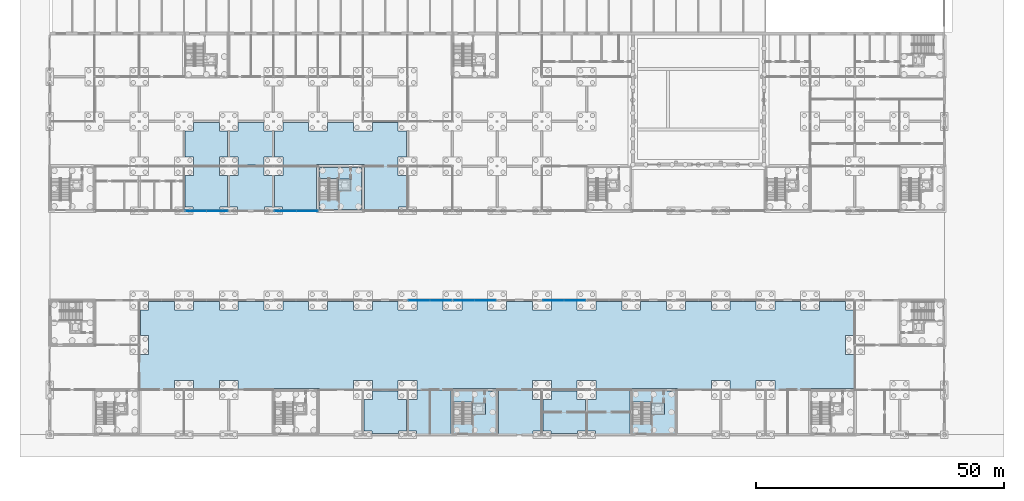
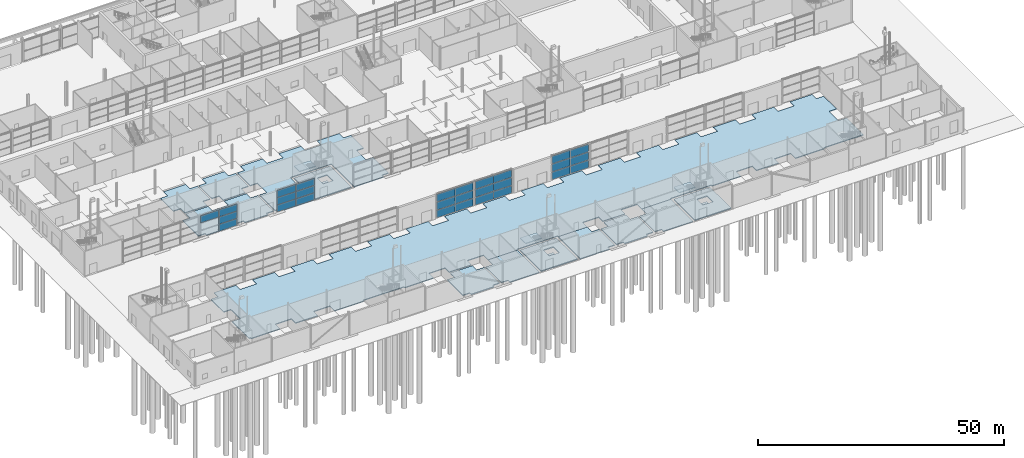
# One storey, part 54 of 97: 28 plates, 20 slabs, 8 elements without a shape of their own.
"""IFC4 building model written with IfcOpenShell, lengths in metres."""

from ifc_helpers import new_model, si_unit, direction, frame, origin, origin_2d, place, context, subcontext, project, spatial, polyline, rectangle, outline, extrude, material, layer, layer_set, type_object, element, aggregate, save


model = new_model("IFC4")

# Units and contexts
model_context = context("Model", 3, precision=1e-05, world=origin(), true_north=direction((0.0, 1.0)))
body_context = subcontext(model_context, "Body", "Model", "MODEL_VIEW")
ifc_project = project(units=[si_unit("LENGTHUNIT", "METRE"), si_unit("AREAUNIT", "SQUARE_METRE"), si_unit("VOLUMEUNIT", "CUBIC_METRE"), si_unit("PLANEANGLEUNIT", "RADIAN"), si_unit("MASSUNIT", "GRAM", prefix="KILO")], contexts=[model_context])

# Site, building, storey
site_placement = place(None, origin())
site = spatial("IfcSite", under=ifc_project, at=site_placement, CompositionType="ELEMENT")
building_placement = place(site_placement, origin())
building = spatial("IfcBuilding", under=site, at=building_placement, Name="Corbel Yard City Hall", CompositionType="ELEMENT")
storey_placement = place(building_placement, origin())
storey = spatial("IfcBuildingStorey", under=building, at=storey_placement, Name="L00", CompositionType="ELEMENT", Elevation=0.0)

# Slabs
ifc_material_1 = material(Name="Concrete N40 (40 MPa)", Category="concrete")
ifc_layer_1 = layer(ifc_material_1, 0.25)
ifc_layer_set_1 = layer_set([ifc_layer_1], Name="Concrete N40 (40 MPa)")
slab_type_1 = type_object("IfcSlabType", Name="CF1", PredefinedType="FLOOR", material=ifc_layer_set_1)
slab_1_placement = place(storey_placement, frame((0.0, 0.0, -0.25)))
element("IfcSlab", 1, at=slab_1_placement, inside=storey, type_object=slab_type_1, Name="Core floor slab", PredefinedType="FLOOR", context=body_context, shape_type="SweptSolid", body=[
    extrude(outline(polyline([(81.25, 0.25), (89.75, 0.25), (89.75, 8.75), (81.25, 8.75), (81.25, 0.25)]), holes=[polyline([(87.64990234375, 6.39990234375), (85.300048828125, 6.39990234375), (85.300048828125, 4.0), (87.64990234375, 4.0), (87.64990234375, 6.39990234375)])]), origin(), (0.0, 0.0, 1.0), 0.25),
])
slab_2_placement = place(storey_placement, frame((0.0, 0.0, -0.25)))
element("IfcSlab", 2, at=slab_2_placement, inside=storey, type_object=slab_type_1, Name="Core floor slab", PredefinedType="FLOOR", context=body_context, shape_type="SweptSolid", body=[
    extrude(outline(polyline([(117.25, 0.25), (125.75, 0.25), (125.75, 8.75), (117.25, 8.75), (117.25, 0.25)]), holes=[polyline([(123.64990234375, 6.39990234375), (121.300048828125, 6.39990234375), (121.300048828125, 4.0), (123.64990234375, 4.0), (123.64990234375, 6.39990234375)])]), origin(), (0.0, 0.0, 1.0), 0.25),
])
slab_3_placement = place(storey_placement, frame((0.0, 0.0, -0.25)))
element("IfcSlab", 3, at=slab_3_placement, inside=storey, type_object=slab_type_1, Name="Core floor slab", PredefinedType="FLOOR", context=body_context, shape_type="SweptSolid", body=[
    extrude(outline(polyline([(54.25, 45.25), (62.75, 45.25), (62.75, 53.75), (54.25, 53.75), (54.25, 45.25)]), holes=[polyline([(60.64990234375, 51.39990234375), (58.300048828125, 51.39990234375), (58.300048828125, 49.0), (60.64990234375, 49.0), (60.64990234375, 51.39990234375)])]), origin(), (0.0, 0.0, 1.0), 0.25),
])
ifc_layer_2 = layer(ifc_material_1, 0.300048828125)
ifc_layer_set_2 = layer_set([ifc_layer_2], Name="Concrete N40 (40 MPa)")
slab_type_2 = type_object("IfcSlabType", Name="CF2", PredefinedType="BASESLAB", material=ifc_layer_set_2)
slab_4_placement = place(storey_placement, frame((0.0, 0.0, -1.699951171875)))
element("IfcSlab", 4, at=slab_4_placement, inside=storey, type_object=slab_type_2, Name="Lift LP3 pit slab", PredefinedType="BASESLAB", context=body_context, shape_type="SweptSolid", body=[
    extrude(outline(polyline([(85.050048828125, 4.0), (87.64990234375, 4.0), (87.64990234375, 6.39990234375), (85.050048828125, 6.39990234375), (85.050048828125, 4.0)])), origin(), (0.0, 0.0, 1.0), 0.300048828125),
])
slab_5_placement = place(storey_placement, frame((0.0, 0.0, -1.699951171875)))
element("IfcSlab", 5, at=slab_5_placement, inside=storey, type_object=slab_type_2, Name="Lift LP4 pit slab", PredefinedType="BASESLAB", context=body_context, shape_type="SweptSolid", body=[
    extrude(outline(polyline([(121.050048828125, 4.0), (123.64990234375, 4.0), (123.64990234375, 6.39990234375), (121.050048828125, 6.39990234375), (121.050048828125, 4.0)])), origin(), (0.0, 0.0, 1.0), 0.300048828125),
])
slab_6_placement = place(storey_placement, frame((0.0, 0.0, -1.699951171875)))
element("IfcSlab", 6, at=slab_6_placement, inside=storey, type_object=slab_type_2, Name="Lift LP9 pit slab", PredefinedType="BASESLAB", context=body_context, shape_type="SweptSolid", body=[
    extrude(outline(polyline([(58.050048828125, 49.0), (60.64990234375, 49.0), (60.64990234375, 51.39990234375), (58.050048828125, 51.39990234375), (58.050048828125, 49.0)])), origin(), (0.0, 0.0, 1.0), 0.300048828125),
])
ifc_layer_3 = layer(ifc_material_1, 0.199951171875)
ifc_layer_set_3 = layer_set([ifc_layer_3], Name="Concrete N40 (40 MPa)")
slab_type_3 = type_object("IfcSlabType", Name="Ground slab 200", PredefinedType="BASESLAB", material=ifc_layer_set_3)
slab_7_placement = place(storey_placement, frame((0.0, 0.0, -0.199951171875)))
element("IfcSlab", 7, at=slab_7_placement, inside=storey, type_object=slab_type_3, Name="Ground slab on grade Hall ribbon", PredefinedType="BASESLAB", context=body_context, shape_type="SweptSolid", body=[
    extrude(outline(polyline([(73.89990234375, 9.0), (73.89990234375, 7.10009765625), (72.199951171875, 7.10009765625), (72.199951171875, 0.75), (73.800048828125, 0.75), (73.800048828125, 0.0), (80.699951171875, 0.0), (80.699951171875, 9.0), (73.89990234375, 9.0)])), origin(), (0.0, 0.0, 1.0), 0.199951171875),
])
slab_8_placement = place(storey_placement, frame((0.0, 0.0, -0.199951171875)))
element("IfcSlab", 8, at=slab_8_placement, inside=storey, type_object=slab_type_3, Name="Ground slab on grade Hall ribbon", PredefinedType="BASESLAB", context=body_context, shape_type="SweptSolid", body=[
    extrude(outline(polyline([(90.300048828125, 0.0), (97.199951171875, 0.0), (97.199951171875, 0.75), (98.800048828125, 0.75), (98.800048828125, 7.10009765625), (97.10009765625, 7.10009765625), (97.10009765625, 9.0), (90.300048828125, 9.0), (90.300048828125, 0.0)])), origin(), (0.0, 0.0, 1.0), 0.199951171875),
])
slab_9_placement = place(storey_placement, frame((0.0, 0.0, -0.199951171875)))
element("IfcSlab", 9, at=slab_9_placement, inside=storey, type_object=slab_type_3, Name="Ground slab on grade Hall ribbon", PredefinedType="BASESLAB", context=body_context, shape_type="SweptSolid", body=[
    extrude(outline(polyline([(109.89990234375, 7.10009765625), (108.199951171875, 7.10009765625), (108.199951171875, 0.75), (109.800048828125, 0.75), (109.800048828125, 0.0), (116.699951171875, 0.0), (116.699951171875, 9.0), (109.89990234375, 9.0), (109.89990234375, 7.10009765625)])), origin(), (0.0, 0.0, 1.0), 0.199951171875),
])
slab_10_placement = place(storey_placement, frame((0.0, 0.0, -0.199951171875)))
element("IfcSlab", 10, at=slab_10_placement, inside=storey, type_object=slab_type_3, Name="Ground slab on grade Hall ribbon", PredefinedType="BASESLAB", context=body_context, shape_type="SweptSolid", body=[
    extrude(outline(polyline([(64.89990234375, 8.800048828125), (64.89990234375, 7.10009765625), (63.199951171875, 7.10009765625), (63.199951171875, 0.75), (64.800048828125, 0.75), (64.800048828125, 0.199951171875), (70.199951171875, 0.199951171875), (70.199951171875, 0.75), (71.800048828125, 0.75), (71.800048828125, 7.10009765625), (70.10009765625, 7.10009765625), (70.10009765625, 8.800048828125), (64.89990234375, 8.800048828125)])), origin(), (0.0, 0.0, 1.0), 0.199951171875),
])
slab_11_placement = place(storey_placement, frame((0.0, 0.0, -0.199951171875)))
element("IfcSlab", 11, at=slab_11_placement, inside=storey, type_object=slab_type_3, Name="Ground slab on grade Hall ribbon", PredefinedType="BASESLAB", context=body_context, shape_type="SweptSolid", body=[
    extrude(outline(polyline([(99.199951171875, 0.75), (100.800048828125, 0.75), (100.800048828125, 0.199951171875), (106.199951171875, 0.199951171875), (106.199951171875, 0.75), (107.800048828125, 0.75), (107.800048828125, 7.10009765625), (106.10009765625, 7.10009765625), (106.10009765625, 8.800048828125), (100.89990234375, 8.800048828125), (100.89990234375, 7.10009765625), (99.199951171875, 7.10009765625), (99.199951171875, 0.75)])), origin(), (0.0, 0.0, 1.0), 0.199951171875),
])
slab_12_placement = place(storey_placement, frame((0.0, 0.0, -0.199951171875)))
element("IfcSlab", 12, at=slab_12_placement, inside=storey, type_object=slab_type_3, Name="Ground slab on grade Public Hall", PredefinedType="BASESLAB", context=body_context, shape_type="SweptSolid", body=[
    extrude(outline(polyline([(115.10009765625, 26.800048828125), (109.89990234375, 26.800048828125), (109.89990234375, 25.10009765625), (106.10009765625, 25.10009765625), (106.10009765625, 26.800048828125), (100.89990234375, 26.800048828125), (100.89990234375, 25.10009765625), (97.10009765625, 25.10009765625), (97.10009765625, 26.800048828125), (91.89990234375, 26.800048828125), (91.89990234375, 25.10009765625), (88.10009765625, 25.10009765625), (88.10009765625, 26.800048828125), (82.89990234375, 26.800048828125), (82.89990234375, 25.10009765625), (79.10009765625, 25.10009765625), (79.10009765625, 26.800048828125), (73.89990234375, 26.800048828125), (73.89990234375, 25.10009765625), (70.10009765625, 25.10009765625), (70.10009765625, 26.800048828125), (64.89990234375, 26.800048828125), (64.89990234375, 25.10009765625), (61.10009765625, 25.10009765625), (61.10009765625, 26.800048828125), (55.89990234375, 26.800048828125), (55.89990234375, 25.10009765625), (52.10009765625, 25.10009765625), (52.10009765625, 26.800048828125), (46.89990234375, 26.800048828125), (46.89990234375, 25.10009765625), (43.10009765625, 25.10009765625), (43.10009765625, 26.800048828125), (37.89990234375, 26.800048828125), (37.89990234375, 25.10009765625), (34.10009765625, 25.10009765625), (34.10009765625, 26.800048828125), (28.89990234375, 26.800048828125), (28.89990234375, 25.10009765625), (25.10009765625, 25.10009765625), (25.10009765625, 26.800048828125), (19.89990234375, 26.800048828125), (19.89990234375, 25.10009765625), (18.199951171875, 25.10009765625), (18.199951171875, 19.89990234375), (19.89990234375, 19.89990234375), (19.89990234375, 16.10009765625), (18.0, 16.10009765625), (18.0, 9.300048828125), (18.300048828125, 9.300048828125), (18.300048828125, 9.0), (25.10009765625, 9.0), (25.10009765625, 10.89990234375), (28.89990234375, 10.89990234375), (28.89990234375, 9.199951171875), (34.10009765625, 9.199951171875), (34.10009765625, 10.89990234375), (37.89990234375, 10.89990234375), (37.89990234375, 9.0), (44.699951171875, 9.0), (44.699951171875, 9.300048828125), (54.300048828125, 9.300048828125), (54.300048828125, 9.0), (61.10009765625, 9.0), (61.10009765625, 10.89990234375), (64.89990234375, 10.89990234375), (64.89990234375, 9.199951171875), (70.10009765625, 9.199951171875), (70.10009765625, 10.89990234375), (73.89990234375, 10.89990234375), (73.89990234375, 9.0), (80.699951171875, 9.0), (80.699951171875, 9.300048828125), (90.300048828125, 9.300048828125), (90.300048828125, 9.0), (97.10009765625, 9.0), (97.10009765625, 10.89990234375), (100.89990234375, 10.89990234375), (100.89990234375, 9.199951171875), (106.10009765625, 9.199951171875), (106.10009765625, 10.89990234375), (109.89990234375, 10.89990234375), (109.89990234375, 9.0), (116.699951171875, 9.0), (116.699951171875, 9.300048828125), (126.300048828125, 9.300048828125), (126.300048828125, 9.0), (133.10009765625, 9.0), (133.10009765625, 10.89990234375), (136.89990234375, 10.89990234375), (136.89990234375, 9.199951171875), (142.10009765625, 9.199951171875), (142.10009765625, 10.89990234375), (145.89990234375, 10.89990234375), (145.89990234375, 9.0), (152.699951171875, 9.0), (152.699951171875, 9.300048828125), (162.0, 9.300048828125), (162.0, 16.10009765625), (160.10009765625, 16.10009765625), (160.10009765625, 19.89990234375), (161.800048828125, 19.89990234375), (161.800048828125, 25.10009765625), (160.10009765625, 25.10009765625), (160.10009765625, 26.800048828125), (154.89990234375, 26.800048828125), (154.89990234375, 25.10009765625), (151.10009765625, 25.10009765625), (151.10009765625, 26.800048828125), (145.89990234375, 26.800048828125), (145.89990234375, 25.10009765625), (142.10009765625, 25.10009765625), (142.10009765625, 26.800048828125), (136.89990234375, 26.800048828125), (136.89990234375, 25.10009765625), (133.10009765625, 25.10009765625), (133.10009765625, 26.800048828125), (127.89990234375, 26.800048828125), (127.89990234375, 25.10009765625), (124.10009765625, 25.10009765625), (124.10009765625, 26.800048828125), (118.89990234375, 26.800048828125), (118.89990234375, 25.10009765625), (115.10009765625, 25.10009765625), (115.10009765625, 26.800048828125)])), origin(), (0.0, 0.0, 1.0), 0.199951171875),
])
slab_13_placement = place(storey_placement, frame((0.0, 0.0, -0.199951171875)))
element("IfcSlab", 13, at=slab_13_placement, inside=storey, type_object=slab_type_3, Name="Ground slab on grade Citizens' Service Centre block", PredefinedType="BASESLAB", context=body_context, shape_type="SweptSolid", body=[
    extrude(outline(polyline([(52.10009765625, 62.800048828125), (46.89990234375, 62.800048828125), (46.89990234375, 61.10009765625), (45.199951171875, 61.10009765625), (45.199951171875, 55.89990234375), (46.89990234375, 55.89990234375), (46.89990234375, 52.10009765625), (45.199951171875, 52.10009765625), (45.199951171875, 45.75), (46.800048828125, 45.75), (46.800048828125, 45.0), (53.699951171875, 45.0), (53.699951171875, 54.300048828125), (63.300048828125, 54.300048828125), (63.300048828125, 45.0), (70.199951171875, 45.0), (70.199951171875, 45.75), (71.800048828125, 45.75), (71.800048828125, 52.10009765625), (70.10009765625, 52.10009765625), (70.10009765625, 55.89990234375), (71.800048828125, 55.89990234375), (71.800048828125, 61.10009765625), (70.10009765625, 61.10009765625), (70.10009765625, 62.800048828125), (64.89990234375, 62.800048828125), (64.89990234375, 61.10009765625), (61.10009765625, 61.10009765625), (61.10009765625, 62.800048828125), (55.89990234375, 62.800048828125), (55.89990234375, 61.10009765625), (52.10009765625, 61.10009765625), (52.10009765625, 62.800048828125)])), origin(), (0.0, 0.0, 1.0), 0.199951171875),
])
slab_14_placement = place(storey_placement, frame((0.0, 0.0, -0.199951171875)))
element("IfcSlab", 14, at=slab_14_placement, inside=storey, type_object=slab_type_3, Name="Ground slab on grade Citizens' Service Centre block", PredefinedType="BASESLAB", context=body_context, shape_type="SweptSolid", body=[
    extrude(outline(polyline([(28.89990234375, 52.10009765625), (27.199951171875, 52.10009765625), (27.199951171875, 45.75), (28.800048828125, 45.75), (28.800048828125, 45.199951171875), (34.199951171875, 45.199951171875), (34.199951171875, 45.75), (35.800048828125, 45.75), (35.800048828125, 52.10009765625), (34.10009765625, 52.10009765625), (34.10009765625, 53.800048828125), (28.89990234375, 53.800048828125), (28.89990234375, 52.10009765625)])), origin(), (0.0, 0.0, 1.0), 0.199951171875),
])
slab_15_placement = place(storey_placement, frame((0.0, 0.0, -0.199951171875)))
element("IfcSlab", 15, at=slab_15_placement, inside=storey, type_object=slab_type_3, Name="Ground slab on grade Citizens' Service Centre block", PredefinedType="BASESLAB", context=body_context, shape_type="SweptSolid", body=[
    extrude(outline(polyline([(43.10009765625, 53.800048828125), (37.89990234375, 53.800048828125), (37.89990234375, 52.10009765625), (36.199951171875, 52.10009765625), (36.199951171875, 45.75), (37.800048828125, 45.75), (37.800048828125, 45.199951171875), (43.199951171875, 45.199951171875), (43.199951171875, 45.75), (44.800048828125, 45.75), (44.800048828125, 52.10009765625), (43.10009765625, 52.10009765625), (43.10009765625, 53.800048828125)])), origin(), (0.0, 0.0, 1.0), 0.199951171875),
])
slab_16_placement = place(storey_placement, frame((0.0, 0.0, -0.199951171875)))
element("IfcSlab", 16, at=slab_16_placement, inside=storey, type_object=slab_type_3, Name="Ground slab on grade Citizens' Service Centre block", PredefinedType="BASESLAB", context=body_context, shape_type="SweptSolid", body=[
    extrude(outline(polyline([(27.199951171875, 55.89990234375), (28.89990234375, 55.89990234375), (28.89990234375, 54.199951171875), (34.10009765625, 54.199951171875), (34.10009765625, 55.89990234375), (35.800048828125, 55.89990234375), (35.800048828125, 61.10009765625), (34.10009765625, 61.10009765625), (34.10009765625, 62.800048828125), (28.89990234375, 62.800048828125), (28.89990234375, 61.10009765625), (27.199951171875, 61.10009765625), (27.199951171875, 55.89990234375)])), origin(), (0.0, 0.0, 1.0), 0.199951171875),
])
slab_17_placement = place(storey_placement, frame((0.0, 0.0, -0.199951171875)))
element("IfcSlab", 17, at=slab_17_placement, inside=storey, type_object=slab_type_3, Name="Ground slab on grade Citizens' Service Centre block", PredefinedType="BASESLAB", context=body_context, shape_type="SweptSolid", body=[
    extrude(outline(polyline([(43.10009765625, 55.89990234375), (44.800048828125, 55.89990234375), (44.800048828125, 61.10009765625), (43.10009765625, 61.10009765625), (43.10009765625, 62.800048828125), (37.89990234375, 62.800048828125), (37.89990234375, 61.10009765625), (36.199951171875, 61.10009765625), (36.199951171875, 55.89990234375), (37.89990234375, 55.89990234375), (37.89990234375, 54.199951171875), (43.10009765625, 54.199951171875), (43.10009765625, 55.89990234375)])), origin(), (0.0, 0.0, 1.0), 0.199951171875),
])

# Stair, slab
stair_type = type_object("IfcStairType", Name="ST2", PredefinedType="HALF_TURN_STAIR", material=ifc_material_1)
stair_1_placement = place(storey_placement, origin())
stair_1 = element("IfcStair", 18, at=stair_1_placement, inside=storey, type_object=stair_type, Name="Exit stair L00", PredefinedType="HALF_TURN_STAIR")
ifc_layer_4 = layer(ifc_material_1, 0.199951171875)
ifc_layer_set_4 = layer_set([ifc_layer_4], Name="Concrete N40 (40 MPa)")
slab_type_4 = type_object("IfcSlabType", Name="LN1", PredefinedType="LANDING", material=ifc_layer_set_4)
slab_18_placement = place(storey_placement, frame((0.0, 0.0, 2.800048828125)))
slab_18 = element("IfcSlab", 19, at=slab_18_placement, type_object=slab_type_4, Name="PS3 landing 1", PredefinedType="LANDING", context=body_context, shape_type="SweptSolid", body=[
    extrude(outline(polyline([(81.25, 6.530029296875), (85.050048828125, 6.530029296875), (85.050048828125, 8.75), (81.25, 8.75), (81.25, 6.530029296875)])), origin(), (0.0, 0.0, 1.0), 0.199951171875),
])
aggregate(stair_1, [slab_18])

stair_2_placement = place(storey_placement, origin())
stair_2 = element("IfcStair", 20, at=stair_2_placement, inside=storey, type_object=stair_type, Name="Exit stair L00", PredefinedType="HALF_TURN_STAIR")
slab_19_placement = place(storey_placement, frame((0.0, 0.0, 2.800048828125)))
slab_19 = element("IfcSlab", 21, at=slab_19_placement, type_object=slab_type_4, Name="PS4 landing 1", PredefinedType="LANDING", context=body_context, shape_type="SweptSolid", body=[
    extrude(outline(polyline([(117.25, 6.530029296875), (121.050048828125, 6.530029296875), (121.050048828125, 8.75), (117.25, 8.75), (117.25, 6.530029296875)])), origin(), (0.0, 0.0, 1.0), 0.199951171875),
])
aggregate(stair_2, [slab_19])

stair_3_placement = place(storey_placement, origin())
stair_3 = element("IfcStair", 22, at=stair_3_placement, inside=storey, type_object=stair_type, Name="Exit stair L00", PredefinedType="HALF_TURN_STAIR")
slab_20_placement = place(storey_placement, frame((0.0, 0.0, 2.800048828125)))
slab_20 = element("IfcSlab", 23, at=slab_20_placement, type_object=slab_type_4, Name="PS9 landing 1", PredefinedType="LANDING", context=body_context, shape_type="SweptSolid", body=[
    extrude(outline(polyline([(54.25, 51.530029296875), (58.050048828125, 51.530029296875), (58.050048828125, 53.75), (54.25, 53.75), (54.25, 51.530029296875)])), origin(), (0.0, 0.0, 1.0), 0.199951171875),
])
aggregate(stair_3, [slab_20])

# Curtain wall, plates
ifc_material_2 = material(Name="Aluminium extrusion", Category="aluminium")
ifc_layer_5 = layer(ifc_material_2, 0.25)
ifc_layer_set_5 = layer_set([ifc_layer_5], Name="Aluminium extrusion")
curtain_wall_type_1 = type_object("IfcCurtainWallType", Name="CW4", PredefinedType="USERDEFINED", material=ifc_layer_set_5)
curtain_wall_1_placement = place(storey_placement, origin())
curtain_wall_1 = element("IfcCurtainWall", 24, at=curtain_wall_1_placement, inside=storey, type_object=curtain_wall_type_1, Name="Curtain wall CW4 L00", ObjectType="CURTAIN WALL", PredefinedType="USERDEFINED")
ifc_material_3 = material(Name="Laminated toughened storefront glass", Category="glass")
ifc_layer_6 = layer(ifc_material_3, 0.0400390625)
ifc_layer_set_6 = layer_set([ifc_layer_6], Name="Laminated toughened storefront glass")
plate_type_1 = type_object("IfcPlateType", Name="PN5", PredefinedType="CURTAIN_PANEL", material=ifc_layer_set_6)
plate_1_placement = place(storey_placement, frame((29.344970703125, 45.0, 3.661865234375), z_axis=(0.0, 0.0, 1.0), x_axis=(1.0, 0.0, 0.0)))
plate_1 = element("IfcPlate", 25, at=plate_1_placement, type_object=plate_type_1, Name="CW4 panel 1.3", PredefinedType="CURTAIN_PANEL", context=body_context, shape_type="SweptSolid", body=[
    extrude(rectangle(XDim=4.2451171875, YDim=0.0400390625, at=origin_2d()), origin(), (0.0, 0.0, 1.0), 1.71728515625),
])
plate_2_placement = place(storey_placement, frame((33.655029296875, 45.0, 0.06494140625), z_axis=(0.0, 0.0, 1.0), x_axis=(1.0, 0.0, 0.0)))
plate_2 = element("IfcPlate", 26, at=plate_2_placement, type_object=plate_type_1, Name="CW4 panel 2.1", PredefinedType="CURTAIN_PANEL", context=body_context, shape_type="SweptSolid", body=[
    extrude(rectangle(XDim=4.2451171875, YDim=0.0400390625, at=origin_2d()), origin(), (0.0, 0.0, 1.0), 1.71728515625),
])
plate_3_placement = place(storey_placement, frame((33.655029296875, 45.0, 1.84716796875), z_axis=(0.0, 0.0, 1.0), x_axis=(1.0, 0.0, 0.0)))
plate_3 = element("IfcPlate", 27, at=plate_3_placement, type_object=plate_type_1, Name="CW4 panel 2.2", PredefinedType="CURTAIN_PANEL", context=body_context, shape_type="SweptSolid", body=[
    extrude(rectangle(XDim=4.2451171875, YDim=0.0400390625, at=origin_2d()), origin(), (0.0, 0.0, 1.0), 1.749755859375),
])
plate_4_placement = place(storey_placement, frame((33.655029296875, 45.0, 3.661865234375), z_axis=(0.0, 0.0, 1.0), x_axis=(1.0, 0.0, 0.0)))
plate_4 = element("IfcPlate", 28, at=plate_4_placement, type_object=plate_type_1, Name="CW4 panel 2.3", PredefinedType="CURTAIN_PANEL", context=body_context, shape_type="SweptSolid", body=[
    extrude(rectangle(XDim=4.2451171875, YDim=0.0400390625, at=origin_2d()), origin(), (0.0, 0.0, 1.0), 1.71728515625),
])
aggregate(curtain_wall_1, [plate_1, plate_2, plate_3, plate_4])

curtain_wall_2_placement = place(storey_placement, origin())
curtain_wall_2 = element("IfcCurtainWall", 29, at=curtain_wall_2_placement, inside=storey, type_object=curtain_wall_type_1, Name="Curtain wall CW4 L00", ObjectType="CURTAIN WALL", PredefinedType="USERDEFINED")
plate_5_placement = place(storey_placement, frame((47.38427734375, 45.0, 0.06494140625), z_axis=(0.0, 0.0, 1.0), x_axis=(1.0, 0.0, 0.0)))
plate_5 = element("IfcPlate", 30, at=plate_5_placement, type_object=plate_type_1, Name="CW4 panel 1.1", PredefinedType="CURTAIN_PANEL", context=body_context, shape_type="SweptSolid", body=[
    extrude(rectangle(XDim=4.32373046875, YDim=0.0400390625, at=origin_2d()), origin(), (0.0, 0.0, 1.0), 1.71728515625),
])
plate_6_placement = place(storey_placement, frame((47.38427734375, 45.0, 1.84716796875), z_axis=(0.0, 0.0, 1.0), x_axis=(1.0, 0.0, 0.0)))
plate_6 = element("IfcPlate", 31, at=plate_6_placement, type_object=plate_type_1, Name="CW4 panel 1.2", PredefinedType="CURTAIN_PANEL", context=body_context, shape_type="SweptSolid", body=[
    extrude(rectangle(XDim=4.32373046875, YDim=0.0400390625, at=origin_2d()), origin(), (0.0, 0.0, 1.0), 1.749755859375),
])
plate_7_placement = place(storey_placement, frame((47.38427734375, 45.0, 3.661865234375), z_axis=(0.0, 0.0, 1.0), x_axis=(1.0, 0.0, 0.0)))
plate_7 = element("IfcPlate", 32, at=plate_7_placement, type_object=plate_type_1, Name="CW4 panel 1.3", PredefinedType="CURTAIN_PANEL", context=body_context, shape_type="SweptSolid", body=[
    extrude(rectangle(XDim=4.32373046875, YDim=0.0400390625, at=origin_2d()), origin(), (0.0, 0.0, 1.0), 1.71728515625),
])
plate_8_placement = place(storey_placement, frame((51.773193359375, 45.0, 0.06494140625), z_axis=(0.0, 0.0, 1.0), x_axis=(1.0, 0.0, 0.0)))
plate_8 = element("IfcPlate", 33, at=plate_8_placement, type_object=plate_type_1, Name="CW4 panel 2.1", PredefinedType="CURTAIN_PANEL", context=body_context, shape_type="SweptSolid", body=[
    extrude(rectangle(XDim=4.32373046875, YDim=0.0400390625, at=origin_2d()), origin(), (0.0, 0.0, 1.0), 1.71728515625),
])
plate_9_placement = place(storey_placement, frame((51.773193359375, 45.0, 1.84716796875), z_axis=(0.0, 0.0, 1.0), x_axis=(1.0, 0.0, 0.0)))
plate_9 = element("IfcPlate", 34, at=plate_9_placement, type_object=plate_type_1, Name="CW4 panel 2.2", PredefinedType="CURTAIN_PANEL", context=body_context, shape_type="SweptSolid", body=[
    extrude(rectangle(XDim=4.32373046875, YDim=0.0400390625, at=origin_2d()), origin(), (0.0, 0.0, 1.0), 1.749755859375),
])
plate_10_placement = place(storey_placement, frame((51.773193359375, 45.0, 3.661865234375), z_axis=(0.0, 0.0, 1.0), x_axis=(1.0, 0.0, 0.0)))
plate_10 = element("IfcPlate", 35, at=plate_10_placement, type_object=plate_type_1, Name="CW4 panel 2.3", PredefinedType="CURTAIN_PANEL", context=body_context, shape_type="SweptSolid", body=[
    extrude(rectangle(XDim=4.32373046875, YDim=0.0400390625, at=origin_2d()), origin(), (0.0, 0.0, 1.0), 1.71728515625),
])
aggregate(curtain_wall_2, [plate_5, plate_6, plate_7, plate_8, plate_9, plate_10])

ifc_layer_7 = layer(ifc_material_2, 0.300048828125)
ifc_layer_set_7 = layer_set([ifc_layer_7], Name="Aluminium extrusion")
curtain_wall_type_2 = type_object("IfcCurtainWallType", Name="CW7", PredefinedType="USERDEFINED", material=ifc_layer_set_7)
curtain_wall_3_placement = place(storey_placement, origin())
curtain_wall_3 = element("IfcCurtainWall", 36, at=curtain_wall_3_placement, inside=storey, type_object=curtain_wall_type_2, Name="Curtain wall CW7 L00", ObjectType="CURTAIN WALL", PredefinedType="USERDEFINED")
ifc_material_4 = material(Name="Laminated toughened glass, large format", Category="glass")
ifc_layer_8 = layer(ifc_material_4, 0.048095703125)
ifc_layer_set_8 = layer_set([ifc_layer_8], Name="Laminated toughened glass, large format")
plate_type_2 = type_object("IfcPlateType", Name="PN8", PredefinedType="CURTAIN_PANEL", material=ifc_layer_set_8)
plate_11_placement = place(storey_placement, frame((74.351806640625, 27.0, 0.080078125), z_axis=(0.0, 0.0, 1.0), x_axis=(1.0, 0.0, 0.0)))
plate_11 = element("IfcPlate", 37, at=plate_11_placement, type_object=plate_type_2, Name="CW7 panel 1.1", PredefinedType="CURTAIN_PANEL", context=body_context, shape_type="SweptSolid", body=[
    extrude(rectangle(XDim=4.216552734375, YDim=0.048095703125, at=origin_2d()), origin(), (0.0, 0.0, 1.0), 1.8798828125),
])
plate_12_placement = place(storey_placement, frame((74.351806640625, 27.0, 2.0400390625), z_axis=(0.0, 0.0, 1.0), x_axis=(1.0, 0.0, 0.0)))
plate_12 = element("IfcPlate", 38, at=plate_12_placement, type_object=plate_type_2, Name="CW7 panel 1.2", PredefinedType="CURTAIN_PANEL", context=body_context, shape_type="SweptSolid", body=[
    extrude(rectangle(XDim=4.216552734375, YDim=0.048095703125, at=origin_2d()), origin(), (0.0, 0.0, 1.0), 1.919921875),
])
plate_13_placement = place(storey_placement, frame((74.351806640625, 27.0, 4.0400390625), z_axis=(0.0, 0.0, 1.0), x_axis=(1.0, 0.0, 0.0)))
plate_13 = element("IfcPlate", 39, at=plate_13_placement, type_object=plate_type_2, Name="CW7 panel 1.3", PredefinedType="CURTAIN_PANEL", context=body_context, shape_type="SweptSolid", body=[
    extrude(rectangle(XDim=4.216552734375, YDim=0.048095703125, at=origin_2d()), origin(), (0.0, 0.0, 1.0), 1.8798828125),
])
plate_14_placement = place(storey_placement, frame((78.648193359375, 27.0, 0.080078125), z_axis=(0.0, 0.0, 1.0), x_axis=(1.0, 0.0, 0.0)))
plate_14 = element("IfcPlate", 40, at=plate_14_placement, type_object=plate_type_2, Name="CW7 panel 2.1", PredefinedType="CURTAIN_PANEL", context=body_context, shape_type="SweptSolid", body=[
    extrude(rectangle(XDim=4.216552734375, YDim=0.048095703125, at=origin_2d()), origin(), (0.0, 0.0, 1.0), 1.8798828125),
])
plate_15_placement = place(storey_placement, frame((78.648193359375, 27.0, 2.0400390625), z_axis=(0.0, 0.0, 1.0), x_axis=(1.0, 0.0, 0.0)))
plate_15 = element("IfcPlate", 41, at=plate_15_placement, type_object=plate_type_2, Name="CW7 panel 2.2", PredefinedType="CURTAIN_PANEL", context=body_context, shape_type="SweptSolid", body=[
    extrude(rectangle(XDim=4.216552734375, YDim=0.048095703125, at=origin_2d()), origin(), (0.0, 0.0, 1.0), 1.919921875),
])
plate_16_placement = place(storey_placement, frame((78.648193359375, 27.0, 4.0400390625), z_axis=(0.0, 0.0, 1.0), x_axis=(1.0, 0.0, 0.0)))
plate_16 = element("IfcPlate", 42, at=plate_16_placement, type_object=plate_type_2, Name="CW7 panel 2.3", PredefinedType="CURTAIN_PANEL", context=body_context, shape_type="SweptSolid", body=[
    extrude(rectangle(XDim=4.216552734375, YDim=0.048095703125, at=origin_2d()), origin(), (0.0, 0.0, 1.0), 1.8798828125),
])
aggregate(curtain_wall_3, [plate_11, plate_12, plate_13, plate_14, plate_15, plate_16])

curtain_wall_4_placement = place(storey_placement, origin())
curtain_wall_4 = element("IfcCurtainWall", 43, at=curtain_wall_4_placement, inside=storey, type_object=curtain_wall_type_2, Name="Curtain wall CW7 L00", ObjectType="CURTAIN WALL", PredefinedType="USERDEFINED")
plate_17_placement = place(storey_placement, frame((83.351806640625, 27.0, 0.080078125), z_axis=(0.0, 0.0, 1.0), x_axis=(1.0, 0.0, 0.0)))
plate_17 = element("IfcPlate", 44, at=plate_17_placement, type_object=plate_type_2, Name="CW7 panel 1.1", PredefinedType="CURTAIN_PANEL", context=body_context, shape_type="SweptSolid", body=[
    extrude(rectangle(XDim=4.216552734375, YDim=0.048095703125, at=origin_2d()), origin(), (0.0, 0.0, 1.0), 1.8798828125),
])
plate_18_placement = place(storey_placement, frame((83.351806640625, 27.0, 2.0400390625), z_axis=(0.0, 0.0, 1.0), x_axis=(1.0, 0.0, 0.0)))
plate_18 = element("IfcPlate", 45, at=plate_18_placement, type_object=plate_type_2, Name="CW7 panel 1.2", PredefinedType="CURTAIN_PANEL", context=body_context, shape_type="SweptSolid", body=[
    extrude(rectangle(XDim=4.216552734375, YDim=0.048095703125, at=origin_2d()), origin(), (0.0, 0.0, 1.0), 1.919921875),
])
plate_19_placement = place(storey_placement, frame((83.351806640625, 27.0, 4.0400390625), z_axis=(0.0, 0.0, 1.0), x_axis=(1.0, 0.0, 0.0)))
plate_19 = element("IfcPlate", 46, at=plate_19_placement, type_object=plate_type_2, Name="CW7 panel 1.3", PredefinedType="CURTAIN_PANEL", context=body_context, shape_type="SweptSolid", body=[
    extrude(rectangle(XDim=4.216552734375, YDim=0.048095703125, at=origin_2d()), origin(), (0.0, 0.0, 1.0), 1.8798828125),
])
plate_20_placement = place(storey_placement, frame((87.648193359375, 27.0, 0.080078125), z_axis=(0.0, 0.0, 1.0), x_axis=(1.0, 0.0, 0.0)))
plate_20 = element("IfcPlate", 47, at=plate_20_placement, type_object=plate_type_2, Name="CW7 panel 2.1", PredefinedType="CURTAIN_PANEL", context=body_context, shape_type="SweptSolid", body=[
    extrude(rectangle(XDim=4.216552734375, YDim=0.048095703125, at=origin_2d()), origin(), (0.0, 0.0, 1.0), 1.8798828125),
])
plate_21_placement = place(storey_placement, frame((87.648193359375, 27.0, 2.0400390625), z_axis=(0.0, 0.0, 1.0), x_axis=(1.0, 0.0, 0.0)))
plate_21 = element("IfcPlate", 48, at=plate_21_placement, type_object=plate_type_2, Name="CW7 panel 2.2", PredefinedType="CURTAIN_PANEL", context=body_context, shape_type="SweptSolid", body=[
    extrude(rectangle(XDim=4.216552734375, YDim=0.048095703125, at=origin_2d()), origin(), (0.0, 0.0, 1.0), 1.919921875),
])
plate_22_placement = place(storey_placement, frame((87.648193359375, 27.0, 4.0400390625), z_axis=(0.0, 0.0, 1.0), x_axis=(1.0, 0.0, 0.0)))
plate_22 = element("IfcPlate", 49, at=plate_22_placement, type_object=plate_type_2, Name="CW7 panel 2.3", PredefinedType="CURTAIN_PANEL", context=body_context, shape_type="SweptSolid", body=[
    extrude(rectangle(XDim=4.216552734375, YDim=0.048095703125, at=origin_2d()), origin(), (0.0, 0.0, 1.0), 1.8798828125),
])
aggregate(curtain_wall_4, [plate_17, plate_18, plate_19, plate_20, plate_21, plate_22])

curtain_wall_5_placement = place(storey_placement, origin())
curtain_wall_5 = element("IfcCurtainWall", 50, at=curtain_wall_5_placement, inside=storey, type_object=curtain_wall_type_2, Name="Curtain wall CW7 L00", ObjectType="CURTAIN WALL", PredefinedType="USERDEFINED")
plate_23_placement = place(storey_placement, frame((101.351806640625, 27.0, 0.080078125), z_axis=(0.0, 0.0, 1.0), x_axis=(1.0, 0.0, 0.0)))
plate_23 = element("IfcPlate", 51, at=plate_23_placement, type_object=plate_type_2, Name="CW7 panel 1.1", PredefinedType="CURTAIN_PANEL", context=body_context, shape_type="SweptSolid", body=[
    extrude(rectangle(XDim=4.216552734375, YDim=0.048095703125, at=origin_2d()), origin(), (0.0, 0.0, 1.0), 1.8798828125),
])
plate_24_placement = place(storey_placement, frame((101.351806640625, 27.0, 2.0400390625), z_axis=(0.0, 0.0, 1.0), x_axis=(1.0, 0.0, 0.0)))
plate_24 = element("IfcPlate", 52, at=plate_24_placement, type_object=plate_type_2, Name="CW7 panel 1.2", PredefinedType="CURTAIN_PANEL", context=body_context, shape_type="SweptSolid", body=[
    extrude(rectangle(XDim=4.216552734375, YDim=0.048095703125, at=origin_2d()), origin(), (0.0, 0.0, 1.0), 1.919921875),
])
plate_25_placement = place(storey_placement, frame((101.351806640625, 27.0, 4.0400390625), z_axis=(0.0, 0.0, 1.0), x_axis=(1.0, 0.0, 0.0)))
plate_25 = element("IfcPlate", 53, at=plate_25_placement, type_object=plate_type_2, Name="CW7 panel 1.3", PredefinedType="CURTAIN_PANEL", context=body_context, shape_type="SweptSolid", body=[
    extrude(rectangle(XDim=4.216552734375, YDim=0.048095703125, at=origin_2d()), origin(), (0.0, 0.0, 1.0), 1.8798828125),
])
plate_26_placement = place(storey_placement, frame((105.648193359375, 27.0, 0.080078125), z_axis=(0.0, 0.0, 1.0), x_axis=(1.0, 0.0, 0.0)))
plate_26 = element("IfcPlate", 54, at=plate_26_placement, type_object=plate_type_2, Name="CW7 panel 2.1", PredefinedType="CURTAIN_PANEL", context=body_context, shape_type="SweptSolid", body=[
    extrude(rectangle(XDim=4.216552734375, YDim=0.048095703125, at=origin_2d()), origin(), (0.0, 0.0, 1.0), 1.8798828125),
])
plate_27_placement = place(storey_placement, frame((105.648193359375, 27.0, 2.0400390625), z_axis=(0.0, 0.0, 1.0), x_axis=(1.0, 0.0, 0.0)))
plate_27 = element("IfcPlate", 55, at=plate_27_placement, type_object=plate_type_2, Name="CW7 panel 2.2", PredefinedType="CURTAIN_PANEL", context=body_context, shape_type="SweptSolid", body=[
    extrude(rectangle(XDim=4.216552734375, YDim=0.048095703125, at=origin_2d()), origin(), (0.0, 0.0, 1.0), 1.919921875),
])
plate_28_placement = place(storey_placement, frame((105.648193359375, 27.0, 4.0400390625), z_axis=(0.0, 0.0, 1.0), x_axis=(1.0, 0.0, 0.0)))
plate_28 = element("IfcPlate", 56, at=plate_28_placement, type_object=plate_type_2, Name="CW7 panel 2.3", PredefinedType="CURTAIN_PANEL", context=body_context, shape_type="SweptSolid", body=[
    extrude(rectangle(XDim=4.216552734375, YDim=0.048095703125, at=origin_2d()), origin(), (0.0, 0.0, 1.0), 1.8798828125),
])
aggregate(curtain_wall_5, [plate_23, plate_24, plate_25, plate_26, plate_27, plate_28])

save(model, "model.ifc")
